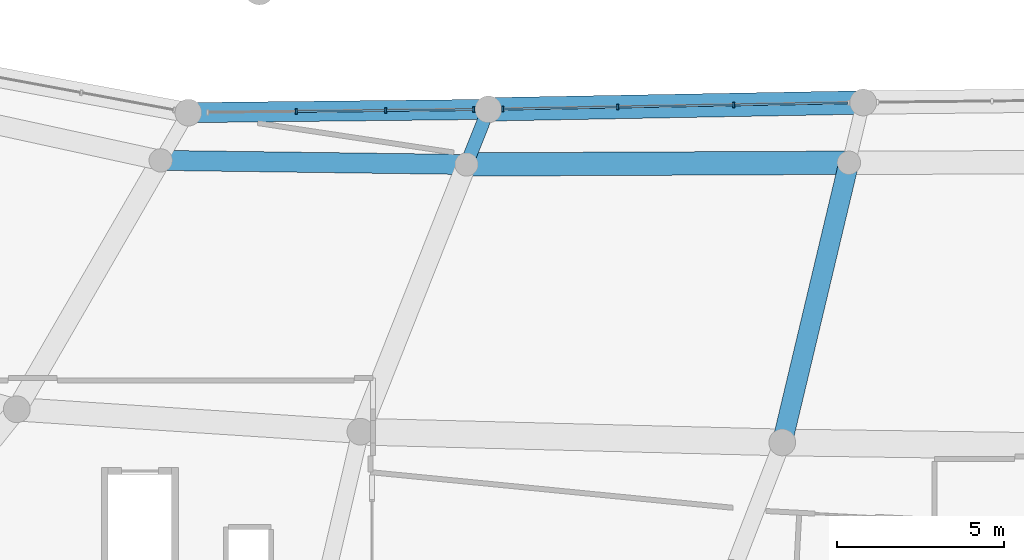
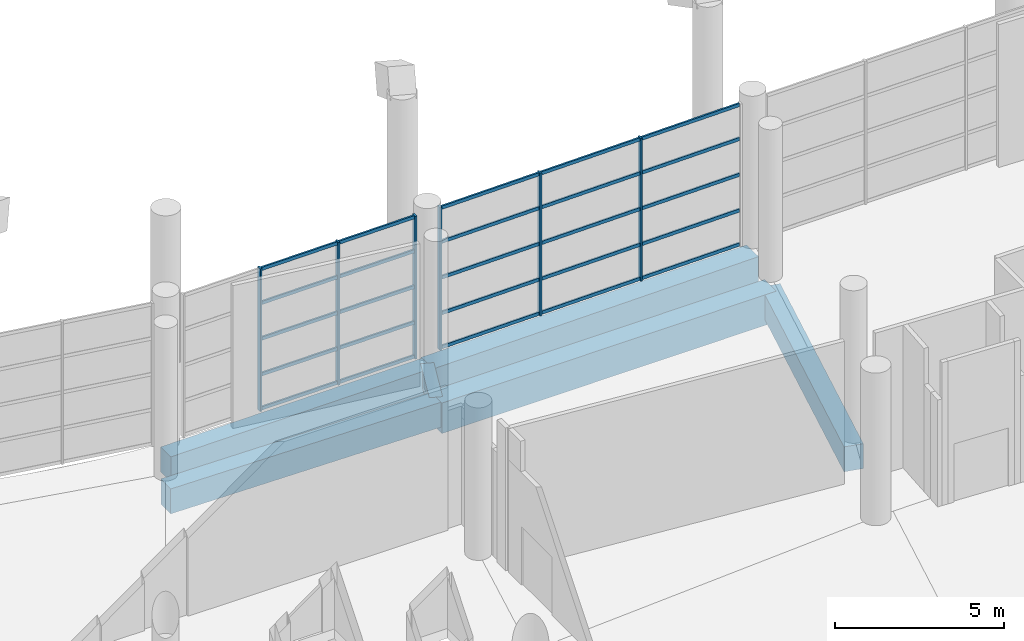
# One storey, part 25 of 271: 31 members, 6 beams, 2 elements without a shape of their own.
"""IFC4 building model written with IfcOpenShell, lengths in metres."""

from ifc_helpers import new_model, si_unit, direction, frame, origin, origin_2d, place, context, subcontext, project, spatial, rectangle, extrude, material, layer, layer_set, material_profile, profile_set, type_object, element, aggregate, save


model = new_model("IFC4")

# Units and contexts
model_context = context("Model", 3, precision=1e-05, world=origin(), true_north=direction((0.0, 1.0)))
body_context = subcontext(model_context, "Body", "Model", "MODEL_VIEW")
ifc_project = project(units=[si_unit("LENGTHUNIT", "METRE"), si_unit("AREAUNIT", "SQUARE_METRE"), si_unit("VOLUMEUNIT", "CUBIC_METRE"), si_unit("PLANEANGLEUNIT", "RADIAN"), si_unit("MASSUNIT", "GRAM", prefix="KILO")], contexts=[model_context])

# Site, building, storey
site_placement = place(None, origin())
site = spatial("IfcSite", under=ifc_project, at=site_placement, CompositionType="ELEMENT")
building_placement = place(site_placement, origin())
building = spatial("IfcBuilding", under=site, at=building_placement, Name="Meseta Stadium", CompositionType="ELEMENT")
storey_placement = place(building_placement, frame((0.0, 0.0, 6.5)))
storey = spatial("IfcBuildingStorey", under=building, at=storey_placement, Name="L01", CompositionType="ELEMENT", Elevation=6.5)

# Curtain wall, members
ifc_material_1 = material(Name="Aluminium", Category="aluminium")
ifc_layer = layer(ifc_material_1, 0.199951171875)
ifc_layer_set = layer_set([ifc_layer], Name="Club glazing curtain wall")
curtain_wall_type = type_object("IfcCurtainWallType", Name="Club glazing curtain wall", PredefinedType="NOTDEFINED", material=ifc_layer_set)
curtain_wall_1_placement = place(storey_placement, origin())
curtain_wall_1 = element("IfcCurtainWall", 1, at=curtain_wall_1_placement, inside=storey, type_object=curtain_wall_type, Name="Club glazing bay 43", PredefinedType="NOTDEFINED")
ifc_material_2 = material(Name="Aluminium", Category="aluminium")
ifc_material_profile_1 = material_profile(ifc_material_2, rectangle(XDim=0.159912109375, YDim=0.06005859375, at=origin_2d()), Name="CW 160x60")
ifc_profile_set_1 = profile_set([ifc_material_profile_1], Name="Aluminium")
member_type_1 = type_object("IfcMemberType", Name="CW mullion 60x160", PredefinedType="MULLION", material=ifc_profile_set_1)
member_1_placement = place(storey_placement, frame((-33.656494140625, -75.7978515625, 0.0), z_axis=(0.0, 0.0, 1.0), x_axis=(-0.010842515481, 0.999941218201, 0.0)))
member_1 = element("IfcMember", 2, at=member_1_placement, type_object=member_type_1, Name="CWC mullion 2", PredefinedType="MULLION", context=body_context, shape_type="SweptSolid", body=[
    extrude(rectangle(XDim=0.159912109375, YDim=0.06005859375, at=origin_2d()), origin(), (0.0, 0.0, 1.0), 5.14990234375),
])
member_2_placement = place(storey_placement, frame((-30.983642578125, -75.76904296875, 0.0), z_axis=(0.0, 0.0, 1.0), x_axis=(-0.010842515481, 0.999941218201, 0.0)))
member_2 = element("IfcMember", 3, at=member_2_placement, type_object=member_type_1, Name="CWC mullion 3", PredefinedType="MULLION", context=body_context, shape_type="SweptSolid", body=[
    extrude(rectangle(XDim=0.159912109375, YDim=0.06005859375, at=origin_2d()), origin(), (0.0, 0.0, 1.0), 5.14990234375),
])
member_3_placement = place(storey_placement, frame((-28.3408203125, -75.740234375, 0.0), z_axis=(0.0, 0.0, 1.0), x_axis=(-0.010842515481, 0.999941218201, 0.0)))
member_3 = element("IfcMember", 4, at=member_3_placement, type_object=member_type_1, Name="CWC mullion 4", PredefinedType="MULLION", context=body_context, shape_type="SweptSolid", body=[
    extrude(rectangle(XDim=0.159912109375, YDim=0.06005859375, at=origin_2d()), origin(), (0.0, 0.0, 1.0), 5.14990234375),
])

curtain_wall_2_placement = place(storey_placement, origin())
curtain_wall_2 = element("IfcCurtainWall", 5, at=curtain_wall_2_placement, inside=storey, type_object=curtain_wall_type, Name="Club glazing bay 44", PredefinedType="NOTDEFINED")
member_4_placement = place(storey_placement, frame((-27.4814453125, -75.727783203125, 0.0), z_axis=(0.0, 0.0, 1.0), x_axis=(-0.018383858671, 0.99983100259, 0.0)))
member_4 = element("IfcMember", 6, at=member_4_placement, type_object=member_type_1, Name="CWC mullion 1", PredefinedType="MULLION", context=body_context, shape_type="SweptSolid", body=[
    extrude(rectangle(XDim=0.159912109375, YDim=0.06005859375, at=origin_2d()), origin(), (0.0, 0.0, 1.0), 5.14990234375),
])
member_5_placement = place(storey_placement, frame((-24.0400390625, -75.66455078125, 0.0), z_axis=(0.0, 0.0, 1.0), x_axis=(-0.018383858671, 0.99983100259, 0.0)))
member_5 = element("IfcMember", 7, at=member_5_placement, type_object=member_type_1, Name="CWC mullion 2", PredefinedType="MULLION", context=body_context, shape_type="SweptSolid", body=[
    extrude(rectangle(XDim=0.159912109375, YDim=0.06005859375, at=origin_2d()), origin(), (0.0, 0.0, 1.0), 5.14990234375),
])
member_6_placement = place(storey_placement, frame((-20.568603515625, -75.6005859375, 0.0), z_axis=(0.0, 0.0, 1.0), x_axis=(-0.018383858671, 0.99983100259, 0.0)))
member_6 = element("IfcMember", 8, at=member_6_placement, type_object=member_type_1, Name="CWC mullion 3", PredefinedType="MULLION", context=body_context, shape_type="SweptSolid", body=[
    extrude(rectangle(XDim=0.159912109375, YDim=0.06005859375, at=origin_2d()), origin(), (0.0, 0.0, 1.0), 5.14990234375),
])

# Member
ifc_material_3 = material(Name="Aluminium", Category="aluminium")
ifc_material_profile_2 = material_profile(ifc_material_3, rectangle(XDim=0.06005859375, YDim=0.1201171875, at=origin_2d()), Name="CW 60x120")
ifc_profile_set_2 = profile_set([ifc_material_profile_2], Name="Aluminium")
member_type_2 = type_object("IfcMemberType", Name="CW transom 60x120", PredefinedType="USERDEFINED", material=ifc_profile_set_2)
member_7_placement = place(storey_placement, frame((-33.62646484375, -75.797607421875, 0.06005859375), z_axis=(0.99994126218, 0.010838458831, 0.0), x_axis=(-0.010838458831, 0.99994126218, 0.0)))
member_7 = element("IfcMember", 9, at=member_7_placement, type_object=member_type_2, Name="CWC transom 2.1", ObjectType="TRANSOM", PredefinedType="USERDEFINED", context=body_context, shape_type="SweptSolid", body=[
    extrude(rectangle(XDim=0.06005859375, YDim=0.1201171875, at=origin_2d()), origin(), (0.0, 0.0, 1.0), 2.613037109375),
])

member_8_placement = place(storey_placement, frame((-33.62646484375, -75.797607421875, 1.28759765625), z_axis=(0.99994126218, 0.010838458831, 0.0), x_axis=(-0.010838458831, 0.99994126218, 0.0)))
member_8 = element("IfcMember", 10, at=member_8_placement, type_object=member_type_2, Name="CWC transom 2.2", ObjectType="TRANSOM", PredefinedType="USERDEFINED", context=body_context, shape_type="SweptSolid", body=[
    extrude(rectangle(XDim=0.06005859375, YDim=0.1201171875, at=origin_2d()), origin(), (0.0, 0.0, 1.0), 2.613037109375),
])

member_9_placement = place(storey_placement, frame((-33.62646484375, -75.797607421875, 2.574951171875), z_axis=(0.99994126218, 0.010838458831, 0.0), x_axis=(-0.010838458831, 0.99994126218, 0.0)))
member_9 = element("IfcMember", 11, at=member_9_placement, type_object=member_type_2, Name="CWC transom 2.3", ObjectType="TRANSOM", PredefinedType="USERDEFINED", context=body_context, shape_type="SweptSolid", body=[
    extrude(rectangle(XDim=0.06005859375, YDim=0.1201171875, at=origin_2d()), origin(), (0.0, 0.0, 1.0), 2.613037109375),
])

member_10_placement = place(storey_placement, frame((-33.62646484375, -75.797607421875, 3.862548828125), z_axis=(0.99994126218, 0.010838458831, 0.0), x_axis=(-0.010838458831, 0.99994126218, 0.0)))
member_10 = element("IfcMember", 12, at=member_10_placement, type_object=member_type_2, Name="CWC transom 2.4", ObjectType="TRANSOM", PredefinedType="USERDEFINED", context=body_context, shape_type="SweptSolid", body=[
    extrude(rectangle(XDim=0.06005859375, YDim=0.1201171875, at=origin_2d()), origin(), (0.0, 0.0, 1.0), 2.613037109375),
])

member_11_placement = place(storey_placement, frame((-33.62646484375, -75.797607421875, 5.090087890625), z_axis=(0.99994126218, 0.010838458831, 0.0), x_axis=(-0.010838458831, 0.99994126218, 0.0)))
member_11 = element("IfcMember", 13, at=member_11_placement, type_object=member_type_2, Name="CWC transom 2.5", ObjectType="TRANSOM", PredefinedType="USERDEFINED", context=body_context, shape_type="SweptSolid", body=[
    extrude(rectangle(XDim=0.06005859375, YDim=0.1201171875, at=origin_2d()), origin(), (0.0, 0.0, 1.0), 2.613037109375),
])

member_12_placement = place(storey_placement, frame((-30.95361328125, -75.7685546875, 0.06005859375), z_axis=(0.999941943259, 0.010775440167, 0.0), x_axis=(-0.010775440167, 0.999941943259, 0.0)))
member_12 = element("IfcMember", 14, at=member_12_placement, type_object=member_type_2, Name="CWC transom 3.1", ObjectType="TRANSOM", PredefinedType="USERDEFINED", context=body_context, shape_type="SweptSolid", body=[
    extrude(rectangle(XDim=0.06005859375, YDim=0.1201171875, at=origin_2d()), origin(), (0.0, 0.0, 1.0), 2.5830078125),
])

member_13_placement = place(storey_placement, frame((-30.95361328125, -75.7685546875, 1.28759765625), z_axis=(0.999941943259, 0.010775440167, 0.0), x_axis=(-0.010775440167, 0.999941943259, 0.0)))
member_13 = element("IfcMember", 15, at=member_13_placement, type_object=member_type_2, Name="CWC transom 3.2", ObjectType="TRANSOM", PredefinedType="USERDEFINED", context=body_context, shape_type="SweptSolid", body=[
    extrude(rectangle(XDim=0.06005859375, YDim=0.1201171875, at=origin_2d()), origin(), (0.0, 0.0, 1.0), 2.5830078125),
])

member_14_placement = place(storey_placement, frame((-30.95361328125, -75.7685546875, 2.574951171875), z_axis=(0.999941943259, 0.010775440167, 0.0), x_axis=(-0.010775440167, 0.999941943259, 0.0)))
member_14 = element("IfcMember", 16, at=member_14_placement, type_object=member_type_2, Name="CWC transom 3.3", ObjectType="TRANSOM", PredefinedType="USERDEFINED", context=body_context, shape_type="SweptSolid", body=[
    extrude(rectangle(XDim=0.06005859375, YDim=0.1201171875, at=origin_2d()), origin(), (0.0, 0.0, 1.0), 2.5830078125),
])

member_15_placement = place(storey_placement, frame((-30.95361328125, -75.7685546875, 3.862548828125), z_axis=(0.999941943259, 0.010775440167, 0.0), x_axis=(-0.010775440167, 0.999941943259, 0.0)))
member_15 = element("IfcMember", 17, at=member_15_placement, type_object=member_type_2, Name="CWC transom 3.4", ObjectType="TRANSOM", PredefinedType="USERDEFINED", context=body_context, shape_type="SweptSolid", body=[
    extrude(rectangle(XDim=0.06005859375, YDim=0.1201171875, at=origin_2d()), origin(), (0.0, 0.0, 1.0), 2.5830078125),
])

member_16_placement = place(storey_placement, frame((-30.95361328125, -75.7685546875, 5.090087890625), z_axis=(0.999941943259, 0.010775440167, 0.0), x_axis=(-0.010775440167, 0.999941943259, 0.0)))
member_16 = element("IfcMember", 18, at=member_16_placement, type_object=member_type_2, Name="CWC transom 3.5", ObjectType="TRANSOM", PredefinedType="USERDEFINED", context=body_context, shape_type="SweptSolid", body=[
    extrude(rectangle(XDim=0.06005859375, YDim=0.1201171875, at=origin_2d()), origin(), (0.0, 0.0, 1.0), 2.5830078125),
])

aggregate(curtain_wall_1, [member_1, member_2, member_3, member_7, member_8, member_9, member_10, member_11, member_12, member_13, member_14, member_15, member_16])

member_17_placement = place(storey_placement, frame((-27.451416015625, -75.727294921875, 0.06005859375), z_axis=(0.99983057491, 0.018407103935, 0.0), x_axis=(-0.018407103935, 0.99983057491, 0.0)))
member_17 = element("IfcMember", 19, at=member_17_placement, type_object=member_type_2, Name="CWC transom 1.1", ObjectType="TRANSOM", PredefinedType="USERDEFINED", context=body_context, shape_type="SweptSolid", body=[
    extrude(rectangle(XDim=0.06005859375, YDim=0.1201171875, at=origin_2d()), origin(), (0.0, 0.0, 1.0), 3.382080078125),
])

member_18_placement = place(storey_placement, frame((-27.451416015625, -75.727294921875, 1.28759765625), z_axis=(0.99983057491, 0.018407103935, 0.0), x_axis=(-0.018407103935, 0.99983057491, 0.0)))
member_18 = element("IfcMember", 20, at=member_18_placement, type_object=member_type_2, Name="CWC transom 1.2", ObjectType="TRANSOM", PredefinedType="USERDEFINED", context=body_context, shape_type="SweptSolid", body=[
    extrude(rectangle(XDim=0.06005859375, YDim=0.1201171875, at=origin_2d()), origin(), (0.0, 0.0, 1.0), 3.382080078125),
])

member_19_placement = place(storey_placement, frame((-27.451416015625, -75.727294921875, 2.574951171875), z_axis=(0.99983057491, 0.018407103935, 0.0), x_axis=(-0.018407103935, 0.99983057491, 0.0)))
member_19 = element("IfcMember", 21, at=member_19_placement, type_object=member_type_2, Name="CWC transom 1.3", ObjectType="TRANSOM", PredefinedType="USERDEFINED", context=body_context, shape_type="SweptSolid", body=[
    extrude(rectangle(XDim=0.06005859375, YDim=0.1201171875, at=origin_2d()), origin(), (0.0, 0.0, 1.0), 3.382080078125),
])

member_20_placement = place(storey_placement, frame((-27.451416015625, -75.727294921875, 3.862548828125), z_axis=(0.99983057491, 0.018407103935, 0.0), x_axis=(-0.018407103935, 0.99983057491, 0.0)))
member_20 = element("IfcMember", 22, at=member_20_placement, type_object=member_type_2, Name="CWC transom 1.4", ObjectType="TRANSOM", PredefinedType="USERDEFINED", context=body_context, shape_type="SweptSolid", body=[
    extrude(rectangle(XDim=0.06005859375, YDim=0.1201171875, at=origin_2d()), origin(), (0.0, 0.0, 1.0), 3.382080078125),
])

member_21_placement = place(storey_placement, frame((-27.451416015625, -75.727294921875, 5.090087890625), z_axis=(0.99983057491, 0.018407103935, 0.0), x_axis=(-0.018407103935, 0.99983057491, 0.0)))
member_21 = element("IfcMember", 23, at=member_21_placement, type_object=member_type_2, Name="CWC transom 1.5", ObjectType="TRANSOM", PredefinedType="USERDEFINED", context=body_context, shape_type="SweptSolid", body=[
    extrude(rectangle(XDim=0.06005859375, YDim=0.1201171875, at=origin_2d()), origin(), (0.0, 0.0, 1.0), 3.382080078125),
])

member_22_placement = place(storey_placement, frame((-24.010009765625, -75.663818359375, 0.06005859375), z_axis=(0.999830898772, 0.018389504114, 0.0), x_axis=(-0.018389504114, 0.999830898772, 0.0)))
member_22 = element("IfcMember", 24, at=member_22_placement, type_object=member_type_2, Name="CWC transom 2.1", ObjectType="TRANSOM", PredefinedType="USERDEFINED", context=body_context, shape_type="SweptSolid", body=[
    extrude(rectangle(XDim=0.06005859375, YDim=0.1201171875, at=origin_2d()), origin(), (0.0, 0.0, 1.0), 3.411865234375),
])

member_23_placement = place(storey_placement, frame((-24.010009765625, -75.663818359375, 1.28759765625), z_axis=(0.999830898772, 0.018389504114, 0.0), x_axis=(-0.018389504114, 0.999830898772, 0.0)))
member_23 = element("IfcMember", 25, at=member_23_placement, type_object=member_type_2, Name="CWC transom 2.2", ObjectType="TRANSOM", PredefinedType="USERDEFINED", context=body_context, shape_type="SweptSolid", body=[
    extrude(rectangle(XDim=0.06005859375, YDim=0.1201171875, at=origin_2d()), origin(), (0.0, 0.0, 1.0), 3.411865234375),
])

member_24_placement = place(storey_placement, frame((-24.010009765625, -75.663818359375, 2.574951171875), z_axis=(0.999830898772, 0.018389504114, 0.0), x_axis=(-0.018389504114, 0.999830898772, 0.0)))
member_24 = element("IfcMember", 26, at=member_24_placement, type_object=member_type_2, Name="CWC transom 2.3", ObjectType="TRANSOM", PredefinedType="USERDEFINED", context=body_context, shape_type="SweptSolid", body=[
    extrude(rectangle(XDim=0.06005859375, YDim=0.1201171875, at=origin_2d()), origin(), (0.0, 0.0, 1.0), 3.411865234375),
])

member_25_placement = place(storey_placement, frame((-24.010009765625, -75.663818359375, 3.862548828125), z_axis=(0.999830898772, 0.018389504114, 0.0), x_axis=(-0.018389504114, 0.999830898772, 0.0)))
member_25 = element("IfcMember", 27, at=member_25_placement, type_object=member_type_2, Name="CWC transom 2.4", ObjectType="TRANSOM", PredefinedType="USERDEFINED", context=body_context, shape_type="SweptSolid", body=[
    extrude(rectangle(XDim=0.06005859375, YDim=0.1201171875, at=origin_2d()), origin(), (0.0, 0.0, 1.0), 3.411865234375),
])

member_26_placement = place(storey_placement, frame((-24.010009765625, -75.663818359375, 5.090087890625), z_axis=(0.999830898772, 0.018389504114, 0.0), x_axis=(-0.018389504114, 0.999830898772, 0.0)))
member_26 = element("IfcMember", 28, at=member_26_placement, type_object=member_type_2, Name="CWC transom 2.5", ObjectType="TRANSOM", PredefinedType="USERDEFINED", context=body_context, shape_type="SweptSolid", body=[
    extrude(rectangle(XDim=0.06005859375, YDim=0.1201171875, at=origin_2d()), origin(), (0.0, 0.0, 1.0), 3.411865234375),
])

member_27_placement = place(storey_placement, frame((-20.53857421875, -75.60009765625, 0.06005859375), z_axis=(0.99983055045, 0.018408432517, 0.0), x_axis=(-0.018408432517, 0.99983055045, 0.0)))
member_27 = element("IfcMember", 29, at=member_27_placement, type_object=member_type_2, Name="CWC transom 3.1", ObjectType="TRANSOM", PredefinedType="USERDEFINED", context=body_context, shape_type="SweptSolid", body=[
    extrude(rectangle(XDim=0.06005859375, YDim=0.1201171875, at=origin_2d()), origin(), (0.0, 0.0, 1.0), 3.3818359375),
])

member_28_placement = place(storey_placement, frame((-20.53857421875, -75.60009765625, 1.28759765625), z_axis=(0.99983055045, 0.018408432517, 0.0), x_axis=(-0.018408432517, 0.99983055045, 0.0)))
member_28 = element("IfcMember", 30, at=member_28_placement, type_object=member_type_2, Name="CWC transom 3.2", ObjectType="TRANSOM", PredefinedType="USERDEFINED", context=body_context, shape_type="SweptSolid", body=[
    extrude(rectangle(XDim=0.06005859375, YDim=0.1201171875, at=origin_2d()), origin(), (0.0, 0.0, 1.0), 3.3818359375),
])

member_29_placement = place(storey_placement, frame((-20.53857421875, -75.60009765625, 2.574951171875), z_axis=(0.99983055045, 0.018408432517, 0.0), x_axis=(-0.018408432517, 0.99983055045, 0.0)))
member_29 = element("IfcMember", 31, at=member_29_placement, type_object=member_type_2, Name="CWC transom 3.3", ObjectType="TRANSOM", PredefinedType="USERDEFINED", context=body_context, shape_type="SweptSolid", body=[
    extrude(rectangle(XDim=0.06005859375, YDim=0.1201171875, at=origin_2d()), origin(), (0.0, 0.0, 1.0), 3.3818359375),
])

member_30_placement = place(storey_placement, frame((-20.53857421875, -75.60009765625, 3.862548828125), z_axis=(0.99983055045, 0.018408432517, 0.0), x_axis=(-0.018408432517, 0.99983055045, 0.0)))
member_30 = element("IfcMember", 32, at=member_30_placement, type_object=member_type_2, Name="CWC transom 3.4", ObjectType="TRANSOM", PredefinedType="USERDEFINED", context=body_context, shape_type="SweptSolid", body=[
    extrude(rectangle(XDim=0.06005859375, YDim=0.1201171875, at=origin_2d()), origin(), (0.0, 0.0, 1.0), 3.3818359375),
])

member_31_placement = place(storey_placement, frame((-20.53857421875, -75.60009765625, 5.090087890625), z_axis=(0.99983055045, 0.018408432517, 0.0), x_axis=(-0.018408432517, 0.99983055045, 0.0)))
member_31 = element("IfcMember", 33, at=member_31_placement, type_object=member_type_2, Name="CWC transom 3.5", ObjectType="TRANSOM", PredefinedType="USERDEFINED", context=body_context, shape_type="SweptSolid", body=[
    extrude(rectangle(XDim=0.06005859375, YDim=0.1201171875, at=origin_2d()), origin(), (0.0, 0.0, 1.0), 3.3818359375),
])

aggregate(curtain_wall_2, [member_4, member_5, member_6, member_17, member_18, member_19, member_20, member_21, member_22, member_23, member_24, member_25, member_26, member_27, member_28, member_29, member_30, member_31])

# Beams
ifc_material_4 = material(Name="Concrete C40/50", Category="concrete")
ifc_material_profile_3 = material_profile(ifc_material_4, rectangle(XDim=0.39990234375, YDim=0.60009765625, at=origin_2d()), Name="RC 400x600")
ifc_profile_set_3 = profile_set([ifc_material_profile_3], Name="Concrete C40/50")
beam_type_1 = type_object("IfcBeamType", Name="RC beam 400x600", PredefinedType="BEAM", material=ifc_profile_set_3)
beam_1_placement = place(storey_placement, frame((-27.910888671875, -75.735595703125, -0.64990234375), z_axis=(-0.368824744702, -0.929498955188, 0.0), x_axis=(0.929498955188, -0.368824744702, 0.0)))
element("IfcBeam", 34, at=beam_1_placement, inside=storey, type_object=beam_type_1, Name="L01 radial beam frame 44 line C to D", PredefinedType="BEAM", context=body_context, shape_type="SweptSolid", body=[
    extrude(rectangle(XDim=0.39990234375, YDim=0.60009765625, at=origin_2d()), origin(), (0.0, 0.0, 1.0), 1.772705078125),
])
ifc_material_5 = material(Name="Concrete C40/50", Category="concrete")
ifc_material_profile_4 = material_profile(ifc_material_5, rectangle(XDim=0.60009765625, YDim=0.89990234375, at=origin_2d()), Name="RC 600x900")
ifc_profile_set_4 = profile_set([ifc_material_profile_4], Name="Concrete C40/50")
beam_type_2 = type_object("IfcBeamType", Name="RC beam 600x900", PredefinedType="BEAM", material=ifc_profile_set_4)
beam_2_placement = place(storey_placement, frame((-36.885986328125, -75.8330078125, -0.800048828125), z_axis=(0.9999411049, 0.010852959601, 0.0), x_axis=(-0.010852959601, 0.9999411049, 0.0)))
element("IfcBeam", 35, at=beam_2_placement, inside=storey, type_object=beam_type_2, Name="L01 ring beam frame 43 line C", PredefinedType="BEAM", context=body_context, shape_type="SweptSolid", body=[
    extrude(rectangle(XDim=0.60009765625, YDim=0.89990234375, at=origin_2d()), origin(), (0.0, 0.0, 1.0), 8.9755859375),
])
beam_3_placement = place(storey_placement, frame((-37.711669921875, -77.26171875, -0.800048828125), z_axis=(0.999911672388, -0.013290877405, 0.0), x_axis=(0.013290877405, 0.999911672388, 0.0)))
element("IfcBeam", 36, at=beam_3_placement, inside=storey, type_object=beam_type_2, Name="L01 ring beam frame 43 line D", PredefinedType="BEAM", context=body_context, shape_type="SweptSolid", body=[
    extrude(rectangle(XDim=0.60009765625, YDim=0.89990234375, at=origin_2d()), origin(), (0.0, 0.0, 1.0), 9.147705078125),
])
beam_4_placement = place(storey_placement, frame((-17.126708984375, -77.33203125, -0.800048828125), z_axis=(-0.23161924801, -0.972806519279, 0.0), x_axis=(0.972806519279, -0.23161924801, 0.0)))
element("IfcBeam", 37, at=beam_4_placement, inside=storey, type_object=beam_type_2, Name="L01 radial beam frame 45 line D to E", PredefinedType="BEAM", context=body_context, shape_type="SweptSolid", body=[
    extrude(rectangle(XDim=0.60009765625, YDim=0.89990234375, at=origin_2d()), origin(), (0.0, 0.0, 1.0), 8.60009765625),
])
ifc_material_6 = material(Name="Concrete C40/50", Category="concrete")
ifc_material_profile_5 = material_profile(ifc_material_6, rectangle(XDim=0.699951171875, YDim=1.10009765625, at=origin_2d()), Name="RC 700x1100")
ifc_profile_set_5 = profile_set([ifc_material_profile_5], Name="Concrete C40/50")
beam_type_3 = type_object("IfcBeamType", Name="RC beam 700x1100", PredefinedType="BEAM", material=ifc_profile_set_5)
beam_5_placement = place(storey_placement, frame((-27.910888671875, -75.735595703125, -0.89990234375), z_axis=(0.999830807814, 0.018394448783, 0.0), x_axis=(-0.018394448783, 0.999830807814, 0.0)))
element("IfcBeam", 38, at=beam_5_placement, inside=storey, type_object=beam_type_3, Name="L01 ring beam frame 44 line C", PredefinedType="BEAM", context=body_context, shape_type="SweptSolid", body=[
    extrude(rectangle(XDim=0.699951171875, YDim=1.10009765625, at=origin_2d()), origin(), (0.0, 0.0, 1.0), 11.21533203125),
])
beam_6_placement = place(storey_placement, frame((-28.564697265625, -77.38330078125, -0.89990234375), z_axis=(0.999989954239, 0.004482345579, 0.0), x_axis=(-0.004482345579, 0.999989954239, 0.0)))
element("IfcBeam", 39, at=beam_6_placement, inside=storey, type_object=beam_type_3, Name="L01 ring beam frame 44 line D", PredefinedType="BEAM", context=body_context, shape_type="SweptSolid", body=[
    extrude(rectangle(XDim=0.699951171875, YDim=1.10009765625, at=origin_2d()), origin(), (0.0, 0.0, 1.0), 11.43798828125),
])

save(model, "model.ifc")
